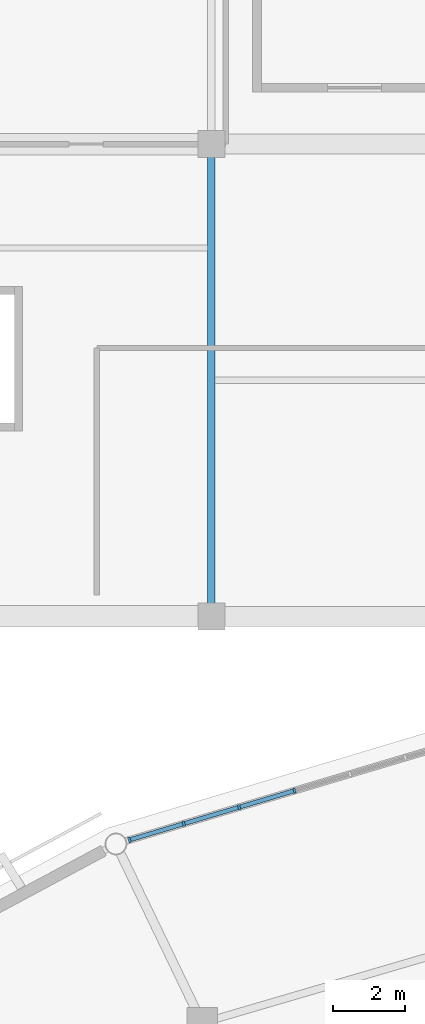
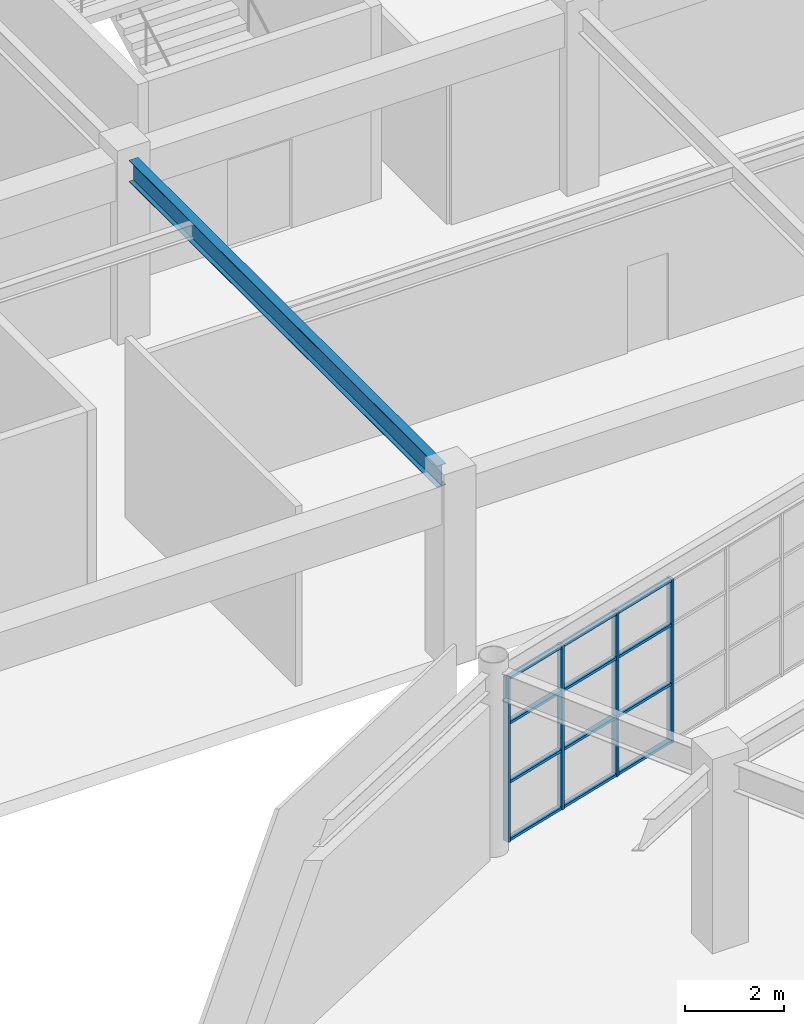
# One storey, part 44 of 112: 16 members, 1 beam, 1 element without a shape of its own.
"""IFC4 building model written with IfcOpenShell, lengths in metres."""

from ifc_helpers import new_model, si_unit, direction, frame, origin, origin_2d, place, context, subcontext, project, spatial, rectangle, i_section, extrude, material, material_profile, profile_set, type_object, element, aggregate, save


model = new_model("IFC4")

# Units and contexts
model_context = context("Model", 3, precision=1e-05, world=origin(), true_north=direction((0.0, 1.0)))
body_context = subcontext(model_context, "Body", "Model", "MODEL_VIEW")
ifc_project = project(units=[si_unit("LENGTHUNIT", "METRE"), si_unit("AREAUNIT", "SQUARE_METRE"), si_unit("VOLUMEUNIT", "CUBIC_METRE"), si_unit("PLANEANGLEUNIT", "RADIAN"), si_unit("MASSUNIT", "GRAM", prefix="KILO")], contexts=[model_context])

# Site, building, storey
site_placement = place(None, origin())
site = spatial("IfcSite", under=ifc_project, at=site_placement, CompositionType="ELEMENT")
building_placement = place(site_placement, origin())
building = spatial("IfcBuilding", under=site, at=building_placement, Name="Cuetzalor Civic Arena", CompositionType="ELEMENT")
storey_placement = place(building_placement, frame((0.0, 0.0, 11.39990234375)))
storey = spatial("IfcBuildingStorey", under=building, at=storey_placement, Name="L02", CompositionType="ELEMENT", Elevation=11.39990234375)

# Curtain wall, members
ifc_material_1 = material(Name="Anodised dark bronze aluminium and low-E solar glass", Category="aluminium")
curtain_wall_type = type_object("IfcCurtainWallType", Name="UnitisedCW_11300x4050", PredefinedType="USERDEFINED", material=ifc_material_1)
curtain_wall_placement = place(storey_placement, origin())
curtain_wall = element("IfcCurtainWall", 1, at=curtain_wall_placement, inside=storey, type_object=curtain_wall_type, Name="Drum Triangle Foyer Curtain Wall L02-036", ObjectType="UNITISED CURTAIN WALL", PredefinedType="USERDEFINED")
ifc_material_2 = material(Name="Anodised dark bronze aluminium", Category="aluminium")
ifc_material_profile_1 = material_profile(ifc_material_2, rectangle(XDim=0.06494140625, YDim=0.14990234375, at=origin_2d()), Name="ALU MULLION 65x150")
ifc_profile_set_1 = profile_set([ifc_material_profile_1], Name="Anodised dark bronze aluminium")
member_type_1 = type_object("IfcMemberType", Name="CurtainWallMullion_60x150", PredefinedType="MULLION", material=ifc_profile_set_1)
member_1_placement = place(storey_placement, frame((-23.290771484375, 42.052734375, 0.0), z_axis=(0.0, 0.0, 1.0), x_axis=(0.958193690548, 0.286120344251, 0.0)))
member_1 = element("IfcMember", 2, at=member_1_placement, type_object=member_type_1, Name="CW-15 mullion 1", PredefinedType="MULLION", context=body_context, shape_type="SweptSolid", body=[
    extrude(rectangle(XDim=0.06494140625, YDim=0.14990234375, at=origin_2d()), origin(), (0.0, 0.0, 1.0), 4.052978515625),
])
member_2_placement = place(storey_placement, frame((-21.77392578125, 42.505859375, 0.0), z_axis=(0.0, 0.0, 1.0), x_axis=(0.958193690548, 0.286120344251, 0.0)))
member_2 = element("IfcMember", 3, at=member_2_placement, type_object=member_type_1, Name="CW-15 mullion 2", PredefinedType="MULLION", context=body_context, shape_type="SweptSolid", body=[
    extrude(rectangle(XDim=0.06494140625, YDim=0.14990234375, at=origin_2d()), origin(), (0.0, 0.0, 1.0), 4.052978515625),
])
member_3_placement = place(storey_placement, frame((-20.2255859375, 42.968017578125, 0.0), z_axis=(0.0, 0.0, 1.0), x_axis=(0.958193690548, 0.286120344251, 0.0)))
member_3 = element("IfcMember", 4, at=member_3_placement, type_object=member_type_1, Name="CW-15 mullion 3", PredefinedType="MULLION", context=body_context, shape_type="SweptSolid", body=[
    extrude(rectangle(XDim=0.06494140625, YDim=0.14990234375, at=origin_2d()), origin(), (0.0, 0.0, 1.0), 4.052978515625),
])
member_4_placement = place(storey_placement, frame((-18.677490234375, 43.430419921875, 0.0), z_axis=(0.0, 0.0, 1.0), x_axis=(0.958193690548, 0.286120344251, 0.0)))
member_4 = element("IfcMember", 5, at=member_4_placement, type_object=member_type_1, Name="CW-15 mullion 4", PredefinedType="MULLION", context=body_context, shape_type="SweptSolid", body=[
    extrude(rectangle(XDim=0.06494140625, YDim=0.14990234375, at=origin_2d()), origin(), (0.0, 0.0, 1.0), 4.052978515625),
])
ifc_material_3 = material(Name="Anodised dark bronze aluminium", Category="aluminium")
ifc_material_profile_2 = material_profile(ifc_material_3, rectangle(XDim=0.1201171875, YDim=0.06494140625, at=origin_2d()), Name="ALU TRANSOM 65x120")
ifc_profile_set_2 = profile_set([ifc_material_profile_2], Name="Anodised dark bronze aluminium")
member_type_2 = type_object("IfcMemberType", Name="CurtainWallTransom_60x120", PredefinedType="USERDEFINED", material=ifc_profile_set_2)
member_5_placement = place(storey_placement, frame((-23.259765625, 42.06201171875, 0.03271484375), z_axis=(0.958166375169, 0.286211805303, 0.0), x_axis=(-0.286211805303, 0.958166375169, 0.0)))
member_5 = element("IfcMember", 6, at=member_5_placement, type_object=member_type_2, Name="CW-15 transom 1.1", ObjectType="TRANSOM", PredefinedType="USERDEFINED", context=body_context, shape_type="SweptSolid", body=[
    extrude(rectangle(XDim=0.1201171875, YDim=0.06494140625, at=origin_2d()), origin(), (0.0, 0.0, 1.0), 1.518310546875),
])
member_6_placement = place(storey_placement, frame((-23.259765625, 42.06201171875, 1.458984375), z_axis=(0.958166375169, 0.286211805303, 0.0), x_axis=(-0.286211805303, 0.958166375169, 0.0)))
member_6 = element("IfcMember", 7, at=member_6_placement, type_object=member_type_2, Name="CW-15 transom 1.2", ObjectType="TRANSOM", PredefinedType="USERDEFINED", context=body_context, shape_type="SweptSolid", body=[
    extrude(rectangle(XDim=0.1201171875, YDim=0.06494140625, at=origin_2d()), origin(), (0.0, 0.0, 1.0), 1.518310546875),
])
member_7_placement = place(storey_placement, frame((-23.259765625, 42.06201171875, 2.918212890625), z_axis=(0.958166375169, 0.286211805303, 0.0), x_axis=(-0.286211805303, 0.958166375169, 0.0)))
member_7 = element("IfcMember", 8, at=member_7_placement, type_object=member_type_2, Name="CW-15 transom 1.3", ObjectType="TRANSOM", PredefinedType="USERDEFINED", context=body_context, shape_type="SweptSolid", body=[
    extrude(rectangle(XDim=0.1201171875, YDim=0.06494140625, at=origin_2d()), origin(), (0.0, 0.0, 1.0), 1.518310546875),
])
member_8_placement = place(storey_placement, frame((-23.259765625, 42.06201171875, 4.0205078125), z_axis=(0.958166375169, 0.286211805303, 0.0), x_axis=(-0.286211805303, 0.958166375169, 0.0)))
member_8 = element("IfcMember", 9, at=member_8_placement, type_object=member_type_2, Name="CW-15 transom 1.4", ObjectType="TRANSOM", PredefinedType="USERDEFINED", context=body_context, shape_type="SweptSolid", body=[
    extrude(rectangle(XDim=0.1201171875, YDim=0.06494140625, at=origin_2d()), origin(), (0.0, 0.0, 1.0), 1.518310546875),
])
member_9_placement = place(storey_placement, frame((-21.74267578125, 42.51513671875, 0.03271484375), z_axis=(0.958206775077, 0.286076521576, 0.0), x_axis=(-0.286076521576, 0.958206775077, 0.0)))
member_9 = element("IfcMember", 10, at=member_9_placement, type_object=member_type_2, Name="CW-15 transom 2.1", ObjectType="TRANSOM", PredefinedType="USERDEFINED", context=body_context, shape_type="SweptSolid", body=[
    extrude(rectangle(XDim=0.1201171875, YDim=0.06494140625, at=origin_2d()), origin(), (0.0, 0.0, 1.0), 1.550537109375),
])
member_10_placement = place(storey_placement, frame((-21.74267578125, 42.51513671875, 1.458984375), z_axis=(0.958206775077, 0.286076521576, 0.0), x_axis=(-0.286076521576, 0.958206775077, 0.0)))
member_10 = element("IfcMember", 11, at=member_10_placement, type_object=member_type_2, Name="CW-15 transom 2.2", ObjectType="TRANSOM", PredefinedType="USERDEFINED", context=body_context, shape_type="SweptSolid", body=[
    extrude(rectangle(XDim=0.1201171875, YDim=0.06494140625, at=origin_2d()), origin(), (0.0, 0.0, 1.0), 1.550537109375),
])
member_11_placement = place(storey_placement, frame((-21.74267578125, 42.51513671875, 2.918212890625), z_axis=(0.958206775077, 0.286076521576, 0.0), x_axis=(-0.286076521576, 0.958206775077, 0.0)))
member_11 = element("IfcMember", 12, at=member_11_placement, type_object=member_type_2, Name="CW-15 transom 2.3", ObjectType="TRANSOM", PredefinedType="USERDEFINED", context=body_context, shape_type="SweptSolid", body=[
    extrude(rectangle(XDim=0.1201171875, YDim=0.06494140625, at=origin_2d()), origin(), (0.0, 0.0, 1.0), 1.550537109375),
])
member_12_placement = place(storey_placement, frame((-21.74267578125, 42.51513671875, 4.0205078125), z_axis=(0.958206775077, 0.286076521576, 0.0), x_axis=(-0.286076521576, 0.958206775077, 0.0)))
member_12 = element("IfcMember", 13, at=member_12_placement, type_object=member_type_2, Name="CW-15 transom 2.4", ObjectType="TRANSOM", PredefinedType="USERDEFINED", context=body_context, shape_type="SweptSolid", body=[
    extrude(rectangle(XDim=0.1201171875, YDim=0.06494140625, at=origin_2d()), origin(), (0.0, 0.0, 1.0), 1.550537109375),
])
member_13_placement = place(storey_placement, frame((-20.194580078125, 42.977294921875, 0.03271484375), z_axis=(0.958163607379, 0.286221071018, 0.0), x_axis=(-0.286221071018, 0.958163607379, 0.0)))
member_13 = element("IfcMember", 14, at=member_13_placement, type_object=member_type_2, Name="CW-15 transom 3.1", ObjectType="TRANSOM", PredefinedType="USERDEFINED", context=body_context, shape_type="SweptSolid", body=[
    extrude(rectangle(XDim=0.1201171875, YDim=0.06494140625, at=origin_2d()), origin(), (0.0, 0.0, 1.0), 1.55078125),
])
member_14_placement = place(storey_placement, frame((-20.194580078125, 42.977294921875, 1.458984375), z_axis=(0.958163607379, 0.286221071018, 0.0), x_axis=(-0.286221071018, 0.958163607379, 0.0)))
member_14 = element("IfcMember", 15, at=member_14_placement, type_object=member_type_2, Name="CW-15 transom 3.2", ObjectType="TRANSOM", PredefinedType="USERDEFINED", context=body_context, shape_type="SweptSolid", body=[
    extrude(rectangle(XDim=0.1201171875, YDim=0.06494140625, at=origin_2d()), origin(), (0.0, 0.0, 1.0), 1.55078125),
])
member_15_placement = place(storey_placement, frame((-20.194580078125, 42.977294921875, 2.918212890625), z_axis=(0.958163607379, 0.286221071018, 0.0), x_axis=(-0.286221071018, 0.958163607379, 0.0)))
member_15 = element("IfcMember", 16, at=member_15_placement, type_object=member_type_2, Name="CW-15 transom 3.3", ObjectType="TRANSOM", PredefinedType="USERDEFINED", context=body_context, shape_type="SweptSolid", body=[
    extrude(rectangle(XDim=0.1201171875, YDim=0.06494140625, at=origin_2d()), origin(), (0.0, 0.0, 1.0), 1.55078125),
])
member_16_placement = place(storey_placement, frame((-20.194580078125, 42.977294921875, 4.0205078125), z_axis=(0.958163607379, 0.286221071018, 0.0), x_axis=(-0.286221071018, 0.958163607379, 0.0)))
member_16 = element("IfcMember", 17, at=member_16_placement, type_object=member_type_2, Name="CW-15 transom 3.4", ObjectType="TRANSOM", PredefinedType="USERDEFINED", context=body_context, shape_type="SweptSolid", body=[
    extrude(rectangle(XDim=0.1201171875, YDim=0.06494140625, at=origin_2d()), origin(), (0.0, 0.0, 1.0), 1.55078125),
])
aggregate(curtain_wall, [member_1, member_2, member_3, member_4, member_5, member_6, member_7, member_8, member_9, member_10, member_11, member_12, member_13, member_14, member_15, member_16])

# Beam
ifc_material_4 = material(Name="Steel S355", Category="steel")
ifc_material_profile_3 = material_profile(ifc_material_4, i_section(OverallWidth=0.208984375, OverallDepth=0.532958984375, WebThickness=0.01025390625, FlangeThickness=0.015625, at=origin_2d()), Name="W530x92")
ifc_profile_set_3 = profile_set([ifc_material_profile_3], Name="Steel S355")
beam_type = type_object("IfcBeamType", Name="SteelCollarGirder_W530", PredefinedType="BEAM", material=ifc_profile_set_3)
beam_placement = place(storey_placement, frame((-21.0, 48.6650390625, 4.213623046875), z_axis=(0.0, 1.0, 0.0), x_axis=(-1.0, 0.0, 0.0)))
element("IfcBeam", 18, at=beam_placement, inside=storey, type_object=beam_type, Name="Frame Girder V5-L02-Y0830", PredefinedType="BEAM", context=body_context, shape_type="SweptSolid", body=[
    extrude(i_section(OverallWidth=0.208984375, OverallDepth=0.532958984375, WebThickness=0.01025390625, FlangeThickness=0.015625, at=origin_2d()), origin(), (0.0, 0.0, 1.0), 12.469970703125),
])

save(model, "model.ifc")
